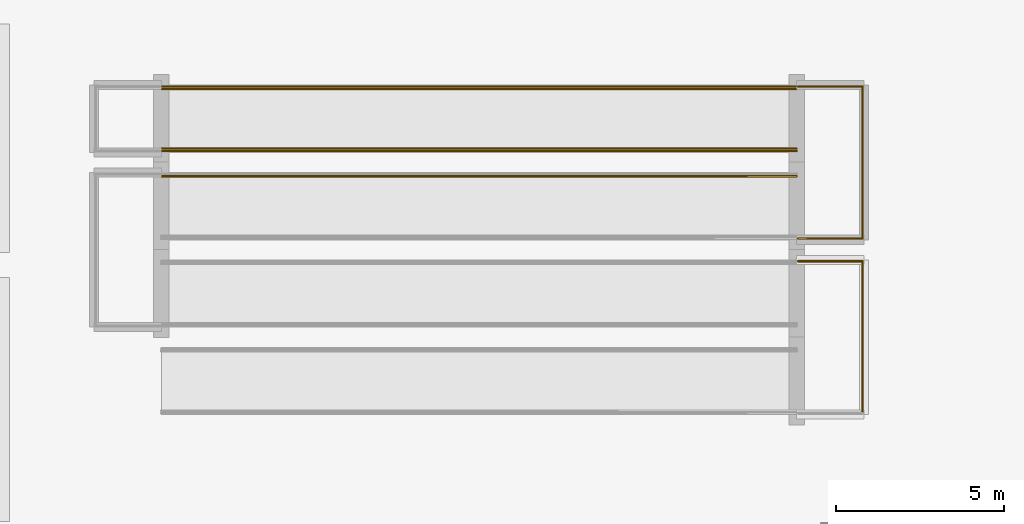
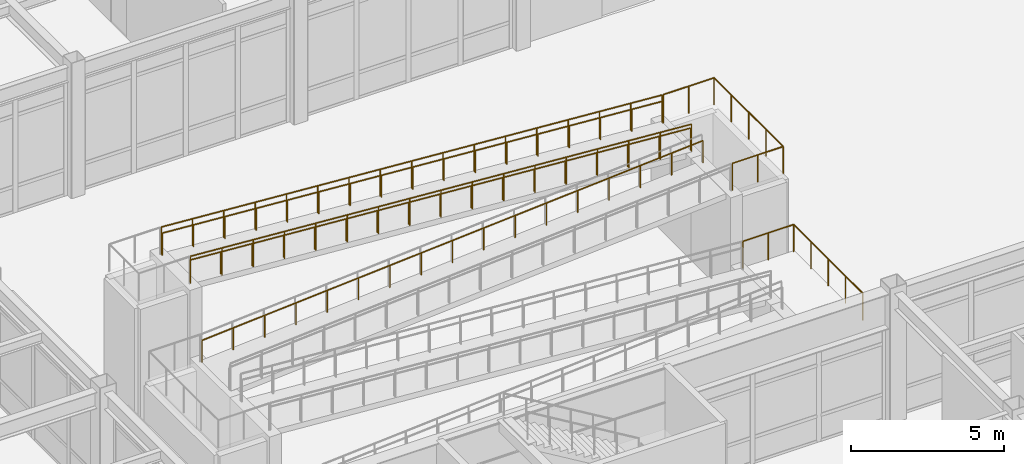
# One storey, part 159 of 165: 10 railings.
"""IFC4 building model written with IfcOpenShell, lengths in metres."""

from ifc_helpers import new_model, si_unit, direction, frame, origin, origin_2d, place, context, subcontext, project, spatial, circle, extrude, material, type_object, element, save


model = new_model("IFC4")

# Units and contexts
model_context = context("Model", 3, precision=1e-05, world=origin(), true_north=direction((0.0, 1.0)))
body_context = subcontext(model_context, "Body", "Model", "MODEL_VIEW")
ifc_project = project(units=[si_unit("LENGTHUNIT", "METRE"), si_unit("AREAUNIT", "SQUARE_METRE"), si_unit("VOLUMEUNIT", "CUBIC_METRE"), si_unit("PLANEANGLEUNIT", "RADIAN"), si_unit("MASSUNIT", "GRAM", prefix="KILO")], contexts=[model_context])

# Site, building, storey
site_placement = place(None, origin())
site = spatial("IfcSite", under=ifc_project, at=site_placement, CompositionType="ELEMENT")
building_placement = place(site_placement, origin())
building = spatial("IfcBuilding", under=site, at=building_placement, Name="Kazehara Bluff Congress Hotel", CompositionType="ELEMENT")
storey_placement = place(building_placement, origin())
storey = spatial("IfcBuildingStorey", under=building, at=storey_placement, Name="L00", CompositionType="ELEMENT", Elevation=0.0)

# Railings
ifc_material_1 = material(Name="Painted galvanised steel", Category="steel")
railing_type_1 = type_object("IfcRailingType", Name="TP-GRD-EXT", PredefinedType="BALUSTRADE", material=ifc_material_1)
railing_1_placement = place(storey_placement, frame((93.760009765625, 60.0400390625, 1.35009765625)))
element("IfcRailing", 1, at=railing_1_placement, inside=storey, type_object=railing_type_1, Name="Accessible bluff garden ramp R2 landing guard L1", PredefinedType="BALUSTRADE", context=body_context, shape_type="SweptSolid", body=[
    extrude(circle(Radius=0.02392578125, at=origin_2d()), frame((0.0, 0.0, 1.076171875), z_axis=(0.0, 1.0, 0.0), x_axis=(-1.0, 0.0, 0.0)), (0.0, 0.0, 1.0), 4.52001953125),
    extrude(circle(Radius=0.02099609375, at=origin_2d()), origin(), (0.0, 0.0, 1.0), 1.052001953125),
    extrude(circle(Radius=0.02099609375, at=origin_2d()), frame((0.0, 1.1298828125, 0.0)), (0.0, 0.0, 1.0), 1.052001953125),
    extrude(circle(Radius=0.02099609375, at=origin_2d()), frame((0.0, 2.260009765625, 0.0)), (0.0, 0.0, 1.0), 1.052001953125),
    extrude(circle(Radius=0.02099609375, at=origin_2d()), frame((0.0, 3.39013671875, 0.0)), (0.0, 0.0, 1.0), 1.052001953125),
    extrude(circle(Radius=0.02099609375, at=origin_2d()), frame((0.0, 4.52001953125, 0.0)), (0.0, 0.0, 1.0), 1.052001953125),
])
for number, where, name in (
    (2, (91.840087890625, 64.56005859375, 1.35009765625), "Accessible bluff garden ramp R2 landing guard L1"),
    (3, (91.840087890625, 65.239990234375, 4.050048828125), "Accessible bluff garden ramp R2 landing guard L3"),
):
    element("IfcRailing", number, at=place(storey_placement, frame(where)), inside=storey, type_object=railing_type_1, Name=name, PredefinedType="BALUSTRADE", context=body_context, shape_type="SweptSolid", body=[
        extrude(circle(Radius=0.02392578125, at=origin_2d()), frame((0.0, 0.0, 1.076171875), z_axis=(1.0, 0.0, 0.0), x_axis=(0.0, 1.0, 0.0)), (0.0, 0.0, 1.0), 1.919921875),
        extrude(circle(Radius=0.02099609375, at=origin_2d()), origin(), (0.0, 0.0, 1.0), 1.052001953125),
        extrude(circle(Radius=0.02099609375, at=origin_2d()), frame((0.9599609375, 0.0, 0.0)), (0.0, 0.0, 1.0), 1.052001953125),
        extrude(circle(Radius=0.02099609375, at=origin_2d()), frame((1.919921875, 0.0, 0.0)), (0.0, 0.0, 1.0), 1.052001953125),
    ])
railing_2_placement = place(storey_placement, frame((93.760009765625, 65.239990234375, 4.050048828125)))
element("IfcRailing", 4, at=railing_2_placement, inside=storey, type_object=railing_type_1, Name="Accessible bluff garden ramp R2 landing guard L3", PredefinedType="BALUSTRADE", context=body_context, shape_type="SweptSolid", body=[
    extrude(circle(Radius=0.02392578125, at=origin_2d()), frame((0.0, 0.0, 1.076171875), z_axis=(0.0, 1.0, 0.0), x_axis=(-1.0, 0.0, 0.0)), (0.0, 0.0, 1.0), 4.52001953125),
    extrude(circle(Radius=0.02099609375, at=origin_2d()), origin(), (0.0, 0.0, 1.0), 1.052001953125),
    extrude(circle(Radius=0.02099609375, at=origin_2d()), frame((0.0, 1.1298828125, 0.0)), (0.0, 0.0, 1.0), 1.052001953125),
    extrude(circle(Radius=0.02099609375, at=origin_2d()), frame((0.0, 2.260009765625, 0.0)), (0.0, 0.0, 1.0), 1.052001953125),
    extrude(circle(Radius=0.02099609375, at=origin_2d()), frame((0.0, 3.39013671875, 0.0)), (0.0, 0.0, 1.0), 1.052001953125),
    extrude(circle(Radius=0.02099609375, at=origin_2d()), frame((0.0, 4.52001953125, 0.0)), (0.0, 0.0, 1.0), 1.052001953125),
])
railing_3_placement = place(storey_placement, frame((91.840087890625, 69.760009765625, 4.050048828125)))
element("IfcRailing", 5, at=railing_3_placement, inside=storey, type_object=railing_type_1, Name="Accessible bluff garden ramp R2 landing guard L3", PredefinedType="BALUSTRADE", context=body_context, shape_type="SweptSolid", body=[
    extrude(circle(Radius=0.02392578125, at=origin_2d()), frame((0.0, 0.0, 1.076171875), z_axis=(1.0, 0.0, 0.0), x_axis=(0.0, 1.0, 0.0)), (0.0, 0.0, 1.0), 1.919921875),
    extrude(circle(Radius=0.02099609375, at=origin_2d()), origin(), (0.0, 0.0, 1.0), 1.052001953125),
    extrude(circle(Radius=0.02099609375, at=origin_2d()), frame((0.9599609375, 0.0, 0.0)), (0.0, 0.0, 1.0), 1.052001953125),
    extrude(circle(Radius=0.02099609375, at=origin_2d()), frame((1.919921875, 0.0, 0.0)), (0.0, 0.0, 1.0), 1.052001953125),
])
railing_4_placement = place(storey_placement, frame((91.800048828125, 67.840087890625, 4.050048828125)))
element("IfcRailing", 6, at=railing_4_placement, inside=storey, type_object=railing_type_1, Name="Accessible bluff garden ramp R2 edge guard F4-S", PredefinedType="BALUSTRADE", context=body_context, shape_type="SweptSolid", body=[
    extrude(circle(Radius=0.02392578125, at=origin_2d()), frame((0.0, 0.0, 1.076171875), z_axis=(-0.997459288432, 0.0, 0.07123880909), x_axis=(0.0, -1.0, 0.0)), (0.0, 0.0, 1.0), 18.9482421875),
    extrude(circle(Radius=0.02099609375, at=origin_2d()), origin(), (0.0, 0.0, 1.0), 1.052001953125),
    extrude(circle(Radius=0.02099609375, at=origin_2d()), frame((-1.18115234375, 0.0, 0.08447265625)), (0.0, 0.0, 1.0), 1.052001953125),
    extrude(circle(Radius=0.02099609375, at=origin_2d()), frame((-2.362548828125, 0.0, 0.168701171875)), (0.0, 0.0, 1.0), 1.052001953125),
    extrude(circle(Radius=0.02099609375, at=origin_2d()), frame((-3.543701171875, 0.0, 0.253173828125)), (0.0, 0.0, 1.0), 1.052001953125),
    extrude(circle(Radius=0.02099609375, at=origin_2d()), frame((-4.72509765625, 0.0, 0.33740234375)), (0.0, 0.0, 1.0), 1.052001953125),
    extrude(circle(Radius=0.02099609375, at=origin_2d()), frame((-5.90625, 0.0, 0.421875)), (0.0, 0.0, 1.0), 1.052001953125),
    extrude(circle(Radius=0.02099609375, at=origin_2d()), frame((-7.087646484375, 0.0, 0.506103515625)), (0.0, 0.0, 1.0), 1.052001953125),
    extrude(circle(Radius=0.02099609375, at=origin_2d()), frame((-8.268798828125, 0.0, 0.590576171875)), (0.0, 0.0, 1.0), 1.052001953125),
    extrude(circle(Radius=0.02099609375, at=origin_2d()), frame((-9.4501953125, 0.0, 0.6748046875)), (0.0, 0.0, 1.0), 1.052001953125),
    extrude(circle(Radius=0.02099609375, at=origin_2d()), frame((-10.63134765625, 0.0, 0.75927734375)), (0.0, 0.0, 1.0), 1.052001953125),
    extrude(circle(Radius=0.02099609375, at=origin_2d()), frame((-11.8125, 0.0, 0.84375)), (0.0, 0.0, 1.0), 1.052001953125),
    extrude(circle(Radius=0.02099609375, at=origin_2d()), frame((-12.993896484375, 0.0, 0.927978515625)), (0.0, 0.0, 1.0), 1.052001953125),
    extrude(circle(Radius=0.02099609375, at=origin_2d()), frame((-14.175048828125, 0.0, 1.012451171875)), (0.0, 0.0, 1.0), 1.052001953125),
    extrude(circle(Radius=0.02099609375, at=origin_2d()), frame((-15.3564453125, 0.0, 1.0966796875)), (0.0, 0.0, 1.0), 1.052001953125),
    extrude(circle(Radius=0.02099609375, at=origin_2d()), frame((-16.53759765625, 0.0, 1.18115234375)), (0.0, 0.0, 1.0), 1.052001953125),
    extrude(circle(Radius=0.02099609375, at=origin_2d()), frame((-17.718994140625, 0.0, 1.265380859375)), (0.0, 0.0, 1.0), 1.052001953125),
    extrude(circle(Radius=0.02099609375, at=origin_2d()), frame((-18.900146484375, 0.0, 1.349853515625)), (0.0, 0.0, 1.0), 1.052001953125),
])
railing_5_placement = place(storey_placement, frame((91.800048828125, 69.760009765625, 4.050048828125)))
element("IfcRailing", 7, at=railing_5_placement, inside=storey, type_object=railing_type_1, Name="Accessible bluff garden ramp R2 edge guard F4-N", PredefinedType="BALUSTRADE", context=body_context, shape_type="SweptSolid", body=[
    extrude(circle(Radius=0.02392578125, at=origin_2d()), frame((0.0, 0.0, 1.076171875), z_axis=(-0.997459288432, 0.0, 0.07123880909), x_axis=(0.0, -1.0, 0.0)), (0.0, 0.0, 1.0), 18.9482421875),
    extrude(circle(Radius=0.02099609375, at=origin_2d()), origin(), (0.0, 0.0, 1.0), 1.052001953125),
    extrude(circle(Radius=0.02099609375, at=origin_2d()), frame((-1.18115234375, 0.0, 0.08447265625)), (0.0, 0.0, 1.0), 1.052001953125),
    extrude(circle(Radius=0.02099609375, at=origin_2d()), frame((-2.362548828125, 0.0, 0.168701171875)), (0.0, 0.0, 1.0), 1.052001953125),
    extrude(circle(Radius=0.02099609375, at=origin_2d()), frame((-3.543701171875, 0.0, 0.253173828125)), (0.0, 0.0, 1.0), 1.052001953125),
    extrude(circle(Radius=0.02099609375, at=origin_2d()), frame((-4.72509765625, 0.0, 0.33740234375)), (0.0, 0.0, 1.0), 1.052001953125),
    extrude(circle(Radius=0.02099609375, at=origin_2d()), frame((-5.90625, 0.0, 0.421875)), (0.0, 0.0, 1.0), 1.052001953125),
    extrude(circle(Radius=0.02099609375, at=origin_2d()), frame((-7.087646484375, 0.0, 0.506103515625)), (0.0, 0.0, 1.0), 1.052001953125),
    extrude(circle(Radius=0.02099609375, at=origin_2d()), frame((-8.268798828125, 0.0, 0.590576171875)), (0.0, 0.0, 1.0), 1.052001953125),
    extrude(circle(Radius=0.02099609375, at=origin_2d()), frame((-9.4501953125, 0.0, 0.6748046875)), (0.0, 0.0, 1.0), 1.052001953125),
    extrude(circle(Radius=0.02099609375, at=origin_2d()), frame((-10.63134765625, 0.0, 0.75927734375)), (0.0, 0.0, 1.0), 1.052001953125),
    extrude(circle(Radius=0.02099609375, at=origin_2d()), frame((-11.8125, 0.0, 0.84375)), (0.0, 0.0, 1.0), 1.052001953125),
    extrude(circle(Radius=0.02099609375, at=origin_2d()), frame((-12.993896484375, 0.0, 0.927978515625)), (0.0, 0.0, 1.0), 1.052001953125),
    extrude(circle(Radius=0.02099609375, at=origin_2d()), frame((-14.175048828125, 0.0, 1.012451171875)), (0.0, 0.0, 1.0), 1.052001953125),
    extrude(circle(Radius=0.02099609375, at=origin_2d()), frame((-15.3564453125, 0.0, 1.0966796875)), (0.0, 0.0, 1.0), 1.052001953125),
    extrude(circle(Radius=0.02099609375, at=origin_2d()), frame((-16.53759765625, 0.0, 1.18115234375)), (0.0, 0.0, 1.0), 1.052001953125),
    extrude(circle(Radius=0.02099609375, at=origin_2d()), frame((-17.718994140625, 0.0, 1.265380859375)), (0.0, 0.0, 1.0), 1.052001953125),
    extrude(circle(Radius=0.02099609375, at=origin_2d()), frame((-18.900146484375, 0.0, 1.349853515625)), (0.0, 0.0, 1.0), 1.052001953125),
])
ifc_material_2 = material(Name="Painted galvanised steel", Category="steel")
railing_type_2 = type_object("IfcRailingType", Name="TP-HR-RMP", PredefinedType="HANDRAIL", material=ifc_material_2)
railing_6_placement = place(storey_placement, frame((72.89990234375, 67.090087890625, 2.699951171875)))
element("IfcRailing", 8, at=railing_6_placement, inside=storey, type_object=railing_type_2, Name="Accessible bluff garden ramp R2 handrail F3-N", PredefinedType="HANDRAIL", context=body_context, shape_type="SweptSolid", body=[
    extrude(circle(Radius=0.02392578125, at=origin_2d()), frame((0.0, 0.0, 0.8759765625), z_axis=(0.997458372801, 0.0, 0.071251628258), x_axis=(0.0, 1.0, 0.0)), (0.0, 0.0, 1.0), 18.9482421875),
    extrude(circle(Radius=0.02099609375, at=origin_2d()), origin(), (0.0, 0.0, 1.0), 0.851806640625),
    extrude(circle(Radius=0.02099609375, at=origin_2d()), frame((1.18115234375, 0.0, 0.08447265625)), (0.0, 0.0, 1.0), 0.851806640625),
    extrude(circle(Radius=0.02099609375, at=origin_2d()), frame((2.362548828125, 0.0, 0.168701171875)), (0.0, 0.0, 1.0), 0.851806640625),
    extrude(circle(Radius=0.02099609375, at=origin_2d()), frame((3.543701171875, 0.0, 0.253173828125)), (0.0, 0.0, 1.0), 0.851806640625),
    extrude(circle(Radius=0.02099609375, at=origin_2d()), frame((4.72509765625, 0.0, 0.33740234375)), (0.0, 0.0, 1.0), 0.851806640625),
    extrude(circle(Radius=0.02099609375, at=origin_2d()), frame((5.90625, 0.0, 0.421875)), (0.0, 0.0, 1.0), 0.851806640625),
    extrude(circle(Radius=0.02099609375, at=origin_2d()), frame((7.087646484375, 0.0, 0.50634765625)), (0.0, 0.0, 1.0), 0.851806640625),
    extrude(circle(Radius=0.02099609375, at=origin_2d()), frame((8.268798828125, 0.0, 0.590576171875)), (0.0, 0.0, 1.0), 0.851806640625),
    extrude(circle(Radius=0.02099609375, at=origin_2d()), frame((9.4501953125, 0.0, 0.675048828125)), (0.0, 0.0, 1.0), 0.851806640625),
    extrude(circle(Radius=0.02099609375, at=origin_2d()), frame((10.63134765625, 0.0, 0.759521484375)), (0.0, 0.0, 1.0), 0.851806640625),
    extrude(circle(Radius=0.02099609375, at=origin_2d()), frame((11.8125, 0.0, 0.84375)), (0.0, 0.0, 1.0), 0.851806640625),
    extrude(circle(Radius=0.02099609375, at=origin_2d()), frame((12.993896484375, 0.0, 0.92822265625)), (0.0, 0.0, 1.0), 0.851806640625),
    extrude(circle(Radius=0.02099609375, at=origin_2d()), frame((14.175048828125, 0.0, 1.0126953125)), (0.0, 0.0, 1.0), 0.851806640625),
    extrude(circle(Radius=0.02099609375, at=origin_2d()), frame((15.3564453125, 0.0, 1.096923828125)), (0.0, 0.0, 1.0), 0.851806640625),
    extrude(circle(Radius=0.02099609375, at=origin_2d()), frame((16.53759765625, 0.0, 1.181396484375)), (0.0, 0.0, 1.0), 0.851806640625),
    extrude(circle(Radius=0.02099609375, at=origin_2d()), frame((17.718994140625, 0.0, 1.265625)), (0.0, 0.0, 1.0), 0.851806640625),
    extrude(circle(Radius=0.02099609375, at=origin_2d()), frame((18.900146484375, 0.0, 1.35009765625)), (0.0, 0.0, 1.0), 0.851806640625),
])
railing_7_placement = place(storey_placement, frame((91.800048828125, 67.909912109375, 4.050048828125)))
element("IfcRailing", 9, at=railing_7_placement, inside=storey, type_object=railing_type_2, Name="Accessible bluff garden ramp R2 handrail F4-S", PredefinedType="HANDRAIL", context=body_context, shape_type="SweptSolid", body=[
    extrude(circle(Radius=0.02392578125, at=origin_2d()), frame((0.0, 0.0, 0.8759765625), z_axis=(-0.997459288432, 0.0, 0.07123880909), x_axis=(0.0, -1.0, 0.0)), (0.0, 0.0, 1.0), 18.9482421875),
    extrude(circle(Radius=0.02099609375, at=origin_2d()), origin(), (0.0, 0.0, 1.0), 0.851806640625),
    extrude(circle(Radius=0.02099609375, at=origin_2d()), frame((-1.18115234375, 0.0, 0.08447265625)), (0.0, 0.0, 1.0), 0.851806640625),
    extrude(circle(Radius=0.02099609375, at=origin_2d()), frame((-2.362548828125, 0.0, 0.168701171875)), (0.0, 0.0, 1.0), 0.851806640625),
    extrude(circle(Radius=0.02099609375, at=origin_2d()), frame((-3.543701171875, 0.0, 0.253173828125)), (0.0, 0.0, 1.0), 0.851806640625),
    extrude(circle(Radius=0.02099609375, at=origin_2d()), frame((-4.72509765625, 0.0, 0.33740234375)), (0.0, 0.0, 1.0), 0.851806640625),
    extrude(circle(Radius=0.02099609375, at=origin_2d()), frame((-5.90625, 0.0, 0.421875)), (0.0, 0.0, 1.0), 0.851806640625),
    extrude(circle(Radius=0.02099609375, at=origin_2d()), frame((-7.087646484375, 0.0, 0.506103515625)), (0.0, 0.0, 1.0), 0.851806640625),
    extrude(circle(Radius=0.02099609375, at=origin_2d()), frame((-8.268798828125, 0.0, 0.590576171875)), (0.0, 0.0, 1.0), 0.851806640625),
    extrude(circle(Radius=0.02099609375, at=origin_2d()), frame((-9.4501953125, 0.0, 0.6748046875)), (0.0, 0.0, 1.0), 0.851806640625),
    extrude(circle(Radius=0.02099609375, at=origin_2d()), frame((-10.63134765625, 0.0, 0.75927734375)), (0.0, 0.0, 1.0), 0.851806640625),
    extrude(circle(Radius=0.02099609375, at=origin_2d()), frame((-11.8125, 0.0, 0.84375)), (0.0, 0.0, 1.0), 0.851806640625),
    extrude(circle(Radius=0.02099609375, at=origin_2d()), frame((-12.993896484375, 0.0, 0.927978515625)), (0.0, 0.0, 1.0), 0.851806640625),
    extrude(circle(Radius=0.02099609375, at=origin_2d()), frame((-14.175048828125, 0.0, 1.012451171875)), (0.0, 0.0, 1.0), 0.851806640625),
    extrude(circle(Radius=0.02099609375, at=origin_2d()), frame((-15.3564453125, 0.0, 1.0966796875)), (0.0, 0.0, 1.0), 0.851806640625),
    extrude(circle(Radius=0.02099609375, at=origin_2d()), frame((-16.53759765625, 0.0, 1.18115234375)), (0.0, 0.0, 1.0), 0.851806640625),
    extrude(circle(Radius=0.02099609375, at=origin_2d()), frame((-17.718994140625, 0.0, 1.265380859375)), (0.0, 0.0, 1.0), 0.851806640625),
    extrude(circle(Radius=0.02099609375, at=origin_2d()), frame((-18.900146484375, 0.0, 1.349853515625)), (0.0, 0.0, 1.0), 0.851806640625),
])
railing_8_placement = place(storey_placement, frame((91.800048828125, 69.68994140625, 4.050048828125)))
element("IfcRailing", 10, at=railing_8_placement, inside=storey, type_object=railing_type_2, Name="Accessible bluff garden ramp R2 handrail F4-N", PredefinedType="HANDRAIL", context=body_context, shape_type="SweptSolid", body=[
    extrude(circle(Radius=0.02392578125, at=origin_2d()), frame((0.0, 0.0, 0.8759765625), z_axis=(-0.997459288432, 0.0, 0.07123880909), x_axis=(0.0, -1.0, 0.0)), (0.0, 0.0, 1.0), 18.9482421875),
    extrude(circle(Radius=0.02099609375, at=origin_2d()), origin(), (0.0, 0.0, 1.0), 0.851806640625),
    extrude(circle(Radius=0.02099609375, at=origin_2d()), frame((-1.18115234375, 0.0, 0.08447265625)), (0.0, 0.0, 1.0), 0.851806640625),
    extrude(circle(Radius=0.02099609375, at=origin_2d()), frame((-2.362548828125, 0.0, 0.168701171875)), (0.0, 0.0, 1.0), 0.851806640625),
    extrude(circle(Radius=0.02099609375, at=origin_2d()), frame((-3.543701171875, 0.0, 0.253173828125)), (0.0, 0.0, 1.0), 0.851806640625),
    extrude(circle(Radius=0.02099609375, at=origin_2d()), frame((-4.72509765625, 0.0, 0.33740234375)), (0.0, 0.0, 1.0), 0.851806640625),
    extrude(circle(Radius=0.02099609375, at=origin_2d()), frame((-5.90625, 0.0, 0.421875)), (0.0, 0.0, 1.0), 0.851806640625),
    extrude(circle(Radius=0.02099609375, at=origin_2d()), frame((-7.087646484375, 0.0, 0.506103515625)), (0.0, 0.0, 1.0), 0.851806640625),
    extrude(circle(Radius=0.02099609375, at=origin_2d()), frame((-8.268798828125, 0.0, 0.590576171875)), (0.0, 0.0, 1.0), 0.851806640625),
    extrude(circle(Radius=0.02099609375, at=origin_2d()), frame((-9.4501953125, 0.0, 0.6748046875)), (0.0, 0.0, 1.0), 0.851806640625),
    extrude(circle(Radius=0.02099609375, at=origin_2d()), frame((-10.63134765625, 0.0, 0.75927734375)), (0.0, 0.0, 1.0), 0.851806640625),
    extrude(circle(Radius=0.02099609375, at=origin_2d()), frame((-11.8125, 0.0, 0.84375)), (0.0, 0.0, 1.0), 0.851806640625),
    extrude(circle(Radius=0.02099609375, at=origin_2d()), frame((-12.993896484375, 0.0, 0.927978515625)), (0.0, 0.0, 1.0), 0.851806640625),
    extrude(circle(Radius=0.02099609375, at=origin_2d()), frame((-14.175048828125, 0.0, 1.012451171875)), (0.0, 0.0, 1.0), 0.851806640625),
    extrude(circle(Radius=0.02099609375, at=origin_2d()), frame((-15.3564453125, 0.0, 1.0966796875)), (0.0, 0.0, 1.0), 0.851806640625),
    extrude(circle(Radius=0.02099609375, at=origin_2d()), frame((-16.53759765625, 0.0, 1.18115234375)), (0.0, 0.0, 1.0), 0.851806640625),
    extrude(circle(Radius=0.02099609375, at=origin_2d()), frame((-17.718994140625, 0.0, 1.265380859375)), (0.0, 0.0, 1.0), 0.851806640625),
    extrude(circle(Radius=0.02099609375, at=origin_2d()), frame((-18.900146484375, 0.0, 1.349853515625)), (0.0, 0.0, 1.0), 0.851806640625),
])

save(model, "model.ifc")
